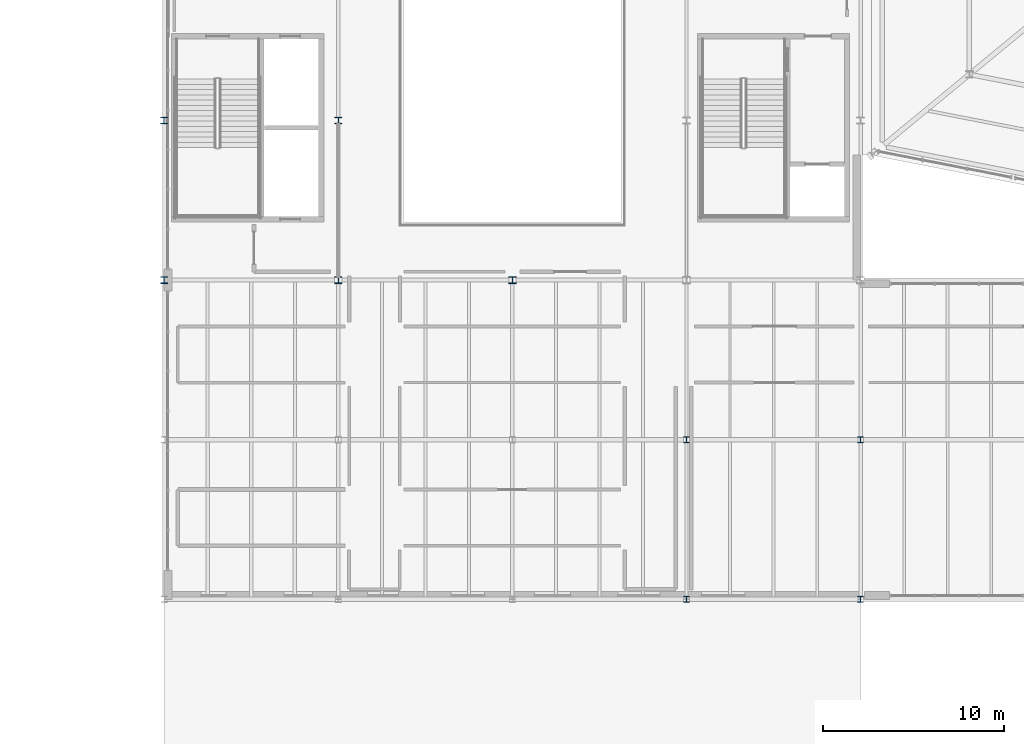
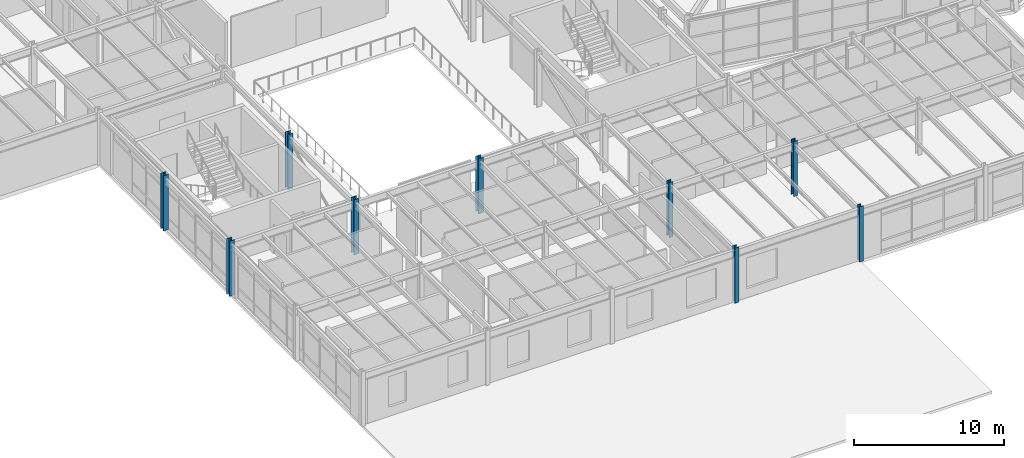
# One storey, part 4 of 88: 9 columns.
"""IFC4 building model written with IfcOpenShell, lengths in metres."""

from ifc_helpers import new_model, si_unit, direction, frame, origin, origin_2d, place, context, subcontext, project, spatial, i_section, extrude, material, material_profile, profile_set, type_object, element, save


model = new_model("IFC4")

# Units and contexts
model_context = context("Model", 3, precision=1e-05, world=origin(), true_north=direction((0.0, 1.0)))
body_context = subcontext(model_context, "Body", "Model", "MODEL_VIEW")
ifc_project = project(units=[si_unit("LENGTHUNIT", "METRE"), si_unit("AREAUNIT", "SQUARE_METRE"), si_unit("VOLUMEUNIT", "CUBIC_METRE"), si_unit("PLANEANGLEUNIT", "RADIAN"), si_unit("MASSUNIT", "GRAM", prefix="KILO")], contexts=[model_context])

# Site, building, storey
site_placement = place(None, origin())
site = spatial("IfcSite", under=ifc_project, at=site_placement, CompositionType="ELEMENT")
building_placement = place(site_placement, origin())
building = spatial("IfcBuilding", under=site, at=building_placement, Name="Sarnbrook Museum", CompositionType="ELEMENT")
storey_placement = place(building_placement, frame((0.0, 0.0, 10.10009765625)))
storey = spatial("IfcBuildingStorey", under=building, at=storey_placement, Name="L02", CompositionType="ELEMENT", Elevation=10.10009765625)

# Columns
ifc_material_1 = material(Name="Structural Steel Grade 300PLUS (AS/NZS 3679.1, fy = 280 MPa for 17 < t <= 40 mm, 300 MPa for t <= 17 mm)", Category="steel")
ifc_material_profile_1 = material_profile(ifc_material_1, i_section(OverallWidth=0.31103515625, OverallDepth=0.326904296875, WebThickness=0.015625, FlangeThickness=0.02490234375, FilletRadius=0.0166015625, at=origin_2d()), Name="310UC158")
ifc_profile_set_1 = profile_set([ifc_material_profile_1], Name="Structural Steel Grade 300PLUS (AS/NZS 3679.1, fy = 280 MPa for 17 < t <= 40 mm, 300 MPa for t <= 17 mm)")
column_type_1 = type_object("IfcColumnType", Name="COL-UC310H", PredefinedType="COLUMN", material=ifc_profile_set_1)
for number, where, z_axis, x_axis, name in (
    (1, (109.60009765625, 39.199951171875, 0.0), (0.0, 0.0, 1.0), (1.0, 0.0, 0.0), "Column 12-E L02"),
    (2, (109.60009765625, 48.0, 0.0), (0.0, 0.0, 1.0), (1.0, 0.0, 0.0), "Column 12-F L02"),
    (3, (119.199951171875, 39.199951171875, 0.0), (0.0, 0.0, 1.0), (1.0, 0.0, 0.0), "Column 13-E L02"),
    (4, (119.199951171875, 48.0, 0.0), (0.0, 0.0, 1.0), (1.0, 0.0, 0.0), "Column 13-F L02"),
):
    element("IfcColumn", number, at=place(storey_placement, frame(where, z_axis=z_axis, x_axis=x_axis)), inside=storey, type_object=column_type_1, Name=name, PredefinedType="COLUMN", context=body_context, shape_type="SweptSolid", body=[
        extrude(i_section(OverallWidth=0.31103515625, OverallDepth=0.326904296875, WebThickness=0.015625, FlangeThickness=0.02490234375, FilletRadius=0.0166015625, at=origin_2d()), origin(), (0.0, 0.0, 1.0), 4.5),
    ])
ifc_material_2 = material(Name="Structural Steel Grade 350L0 (AS/NZS 3678, fy = 340 MPa for 20 < t <= 40 mm)", Category="steel")
ifc_material_profile_2 = material_profile(ifc_material_2, i_section(OverallWidth=0.39990234375, OverallDepth=0.382080078125, WebThickness=0.02490234375, FlangeThickness=0.035888671875, at=origin_2d()), Name="400WC270")
ifc_profile_set_2 = profile_set([ifc_material_profile_2], Name="Structural Steel Grade 350L0 (AS/NZS 3678, fy = 340 MPa for 20 < t <= 40 mm)")
column_type_2 = type_object("IfcColumnType", Name="COL-WC400", PredefinedType="COLUMN", material=ifc_profile_set_2)
for number, where, z_axis, x_axis, name in (
    (5, (90.39990234375, 56.800048828125, 0.0), (0.0, 0.0, 1.0), (1.0, 0.0, 0.0), "Column 10-G L02"),
    (6, (90.39990234375, 65.60009765625, 0.0), (0.0, 0.0, 1.0), (1.0, 0.0, 0.0), "Column 10-H L02"),
    (7, (100.0, 56.800048828125, 0.0), (0.0, 0.0, 1.0), (1.0, 0.0, 0.0), "Column 11-G L02"),
    (8, (80.800048828125, 56.800048828125, 0.0), (0.0, 0.0, 1.0), (1.0, 0.0, 0.0), "Column 9-G L02"),
    (9, (80.800048828125, 65.60009765625, 0.0), (0.0, 0.0, 1.0), (1.0, 0.0, 0.0), "Column 9-H L02"),
):
    element("IfcColumn", number, at=place(storey_placement, frame(where, z_axis=z_axis, x_axis=x_axis)), inside=storey, type_object=column_type_2, Name=name, PredefinedType="COLUMN", context=body_context, shape_type="SweptSolid", body=[
        extrude(i_section(OverallWidth=0.39990234375, OverallDepth=0.382080078125, WebThickness=0.02490234375, FlangeThickness=0.035888671875, at=origin_2d()), origin(), (0.0, 0.0, 1.0), 4.5),
    ])

save(model, "model.ifc")
